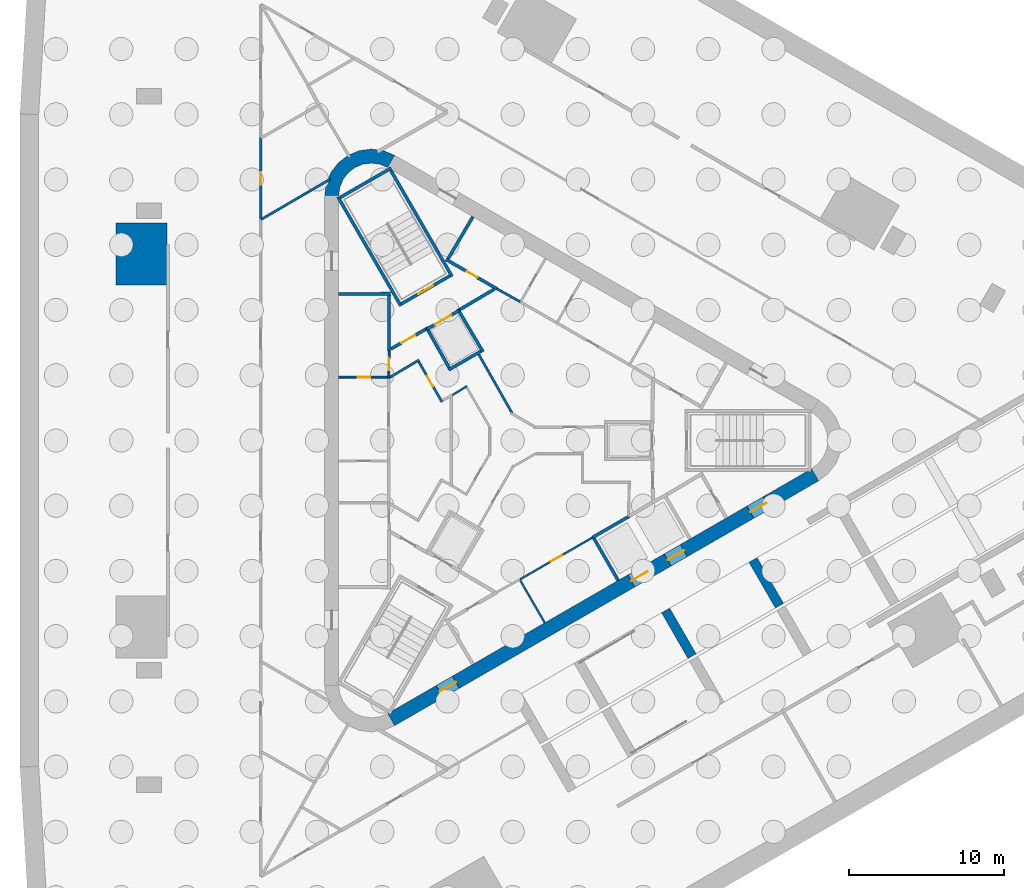
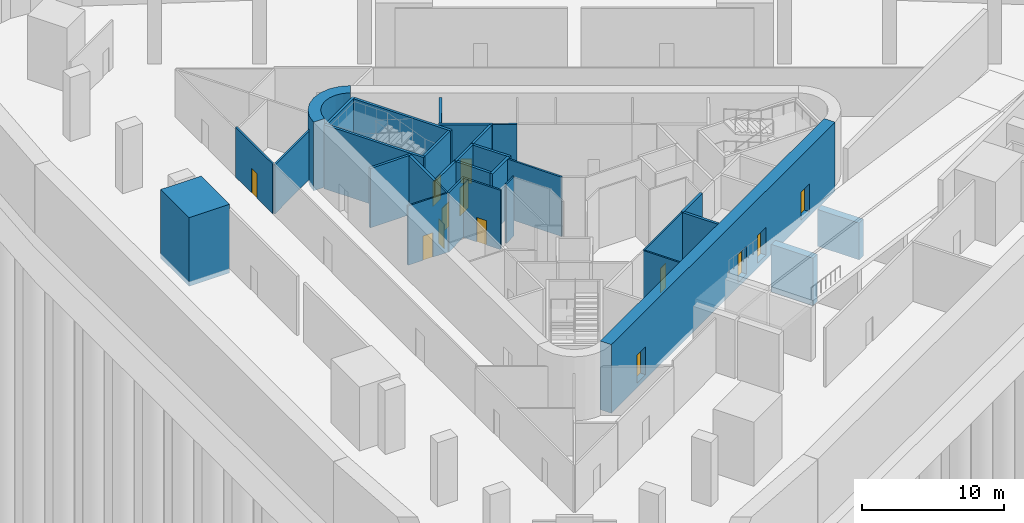
# One storey, part 6 of 13: 32 walls, 13 doors, 13 openings.
"""IFC4 building model written with IfcOpenShell, lengths in metres."""

import ifcopenshell
import ifcopenshell.guid

model = None  # the IFC model being written
_history = None  # IfcOwnerHistory: only IFC2X3 demands one
_inside = {}  # id of a spatial element -> (the spatial element, [elements in it])
_under = {}  # id of a project, library or spatial element -> (it, [spatial elements below it])
_declared = {}  # id of a project -> (the project, [libraries it declares])
_typed = {}  # id of a type object -> (the type object, [elements of that type])
_made_of = {}  # id of a material, layer set ... -> (it, [elements and type objects made of it])


def new_model(schema):
    """Start an empty IFC model of exactly this schema.

    Asked for "IFC4X3", IfcOpenShell would pick the latest addendum, in which some entities
    have other attributes; the version numbers below select the first issue.
    IFC2X3 requires an IfcOwnerHistory on every rooted entity: one is made here for all.
    """
    global model, _history
    if schema == "IFC4X3":
        model = ifcopenshell.file(schema_version=(4, 3, 0, 0))
    else:
        model = ifcopenshell.file(schema=schema)
    _inside.clear()
    _under.clear()
    _declared.clear()
    _typed.clear()
    _made_of.clear()
    _history = None
    if model.schema == "IFC2X3":
        org = make("IfcOrganization", Name="unknown")
        user = make(
            "IfcPersonAndOrganization",
            ThePerson=make("IfcPerson", FamilyName="unknown"),
            TheOrganization=org,
        )
        app = make(
            "IfcApplication",
            ApplicationDeveloper=org,
            Version="unknown",
            ApplicationFullName="unknown",
            ApplicationIdentifier="unknown",
        )
        _history = make(
            "IfcOwnerHistory",
            OwningUser=user,
            OwningApplication=app,
            ChangeAction="ADDED",
            CreationDate=0,
        )
    return model


def make(cls, **values):
    """One entity of the class cls with the attributes given. An attribute that is None is left unset."""
    return model.create_entity(
        cls, **{name: value for name, value in values.items() if value is not None}
    )


def rooted(cls, **values):
    """An entity with a GlobalId (a new one), such as an element, a storey or a relation."""
    return make(cls, GlobalId=ifcopenshell.guid.new(), OwnerHistory=_history, **values)


def si_unit(unit_type, name, prefix=None):
    """IfcSIUnit, for example si_unit("LENGTHUNIT", "METRE", prefix="MILLI")."""
    return make("IfcSIUnit", UnitType=unit_type, Prefix=prefix, Name=name)


def assignment(units):
    """IfcUnitAssignment: the units of a project."""
    return None if units is None else make("IfcUnitAssignment", Units=units)


def point(xyz):
    """IfcCartesianPoint."""
    return None if xyz is None else make("IfcCartesianPoint", Coordinates=xyz)


def direction(xyz):
    """IfcDirection."""
    return None if xyz is None else make("IfcDirection", DirectionRatios=xyz)


def frame(location, z_axis=None, x_axis=None):
    """IfcAxis2Placement3D, a coordinate frame: its origin and axes. An axis left out is left unset."""
    return make(
        "IfcAxis2Placement3D",
        Location=point(location),
        Axis=direction(z_axis),
        RefDirection=direction(x_axis),
    )


def frame_2d(location, x_axis=None):
    """IfcAxis2Placement2D, a coordinate frame in the plane: its origin and x axis."""
    return make(
        "IfcAxis2Placement2D", Location=point(location), RefDirection=direction(x_axis)
    )


def origin():
    """The frame at (0, 0, 0) with its axes left unset."""
    return frame((0.0, 0.0, 0.0))


def place(relative_to, where):
    """IfcLocalPlacement: puts the frame where relative to a parent placement (None: the world)."""
    return make(
        "IfcLocalPlacement", PlacementRelTo=relative_to, RelativePlacement=where
    )


def context(
    kind, dimensions, precision=None, world=None, true_north=None, identifier=None
):
    """IfcGeometricRepresentationContext, for example the 3D "Model" context."""
    return make(
        "IfcGeometricRepresentationContext",
        ContextIdentifier=identifier,
        ContextType=kind,
        CoordinateSpaceDimension=dimensions,
        Precision=precision,
        WorldCoordinateSystem=world,
        TrueNorth=true_north,
    )


def subcontext(parent, identifier, kind, view, scale=None):
    """IfcGeometricRepresentationSubContext, for example "Body" below "Model"."""
    return make(
        "IfcGeometricRepresentationSubContext",
        ContextIdentifier=identifier,
        ContextType=kind,
        ParentContext=parent,
        TargetScale=scale,
        TargetView=view,
    )


def project(units=None, contexts=None):
    """IfcProject with its units and contexts."""
    return rooted(
        "IfcProject",
        Name="project",
        RepresentationContexts=contexts,
        UnitsInContext=assignment(units),
    )


def spatial(cls, under=None, at=None, **own):
    """A site, building, storey or space (cls), placed at a placement, below another one or the project."""
    s = rooted(cls, ObjectPlacement=at, **own)
    if under is not None:
        _under.setdefault(under.id(), (under, []))[1].append(s)
    return s


def polyline(points):
    """IfcPolyline through the points."""
    return make("IfcPolyline", Points=[point(p) for p in points])


def profile(cls, at=None, kind="AREA", **sizes):
    """A parametric profile (cls). Its sizes go by their IFC names, for example OverallWidth=200.0."""
    return make(cls, ProfileType=kind, Position=at, **sizes)


def rectangle(**sizes):
    """IfcRectangleProfileDef."""
    return profile("IfcRectangleProfileDef", **sizes)


def outline(outer, holes=None, kind="AREA"):
    """IfcArbitraryClosedProfileDef: a profile drawn as a closed curve; with holes, ...WithVoids."""
    if holes is None:
        return make("IfcArbitraryClosedProfileDef", ProfileType=kind, OuterCurve=outer)
    return make(
        "IfcArbitraryProfileDefWithVoids",
        ProfileType=kind,
        OuterCurve=outer,
        InnerCurves=holes,
    )


def extrude(swept, where, along, depth):
    """IfcExtrudedAreaSolid: the profile swept, set in the frame where, extruded along a direction by depth."""
    return make(
        "IfcExtrudedAreaSolid",
        SweptArea=swept,
        Position=where,
        ExtrudedDirection=direction(along),
        Depth=depth,
    )


def shape(context_of_items, identifier, shape_type, items):
    """IfcShapeRepresentation: the items that make up one representation, for example the "Body"."""
    return make(
        "IfcShapeRepresentation",
        ContextOfItems=context_of_items,
        RepresentationIdentifier=identifier,
        RepresentationType=shape_type,
        Items=items,
    )


def material(Name=None, Category=None):
    """IfcMaterial."""
    return make("IfcMaterial", Name=Name, Category=Category)


def layer(
    of_material, thickness, ventilated=None, Name=None, Category=None, Priority=None
):
    """IfcMaterialLayer: one layer of a wall or slab, of a material (None: an air gap)."""
    return make(
        "IfcMaterialLayer",
        Material=of_material,
        LayerThickness=thickness,
        IsVentilated=ventilated,
        Name=Name,
        Category=Category,
        Priority=Priority,
    )


def layer_set(layers, Name=None):
    """IfcMaterialLayerSet."""
    return make("IfcMaterialLayerSet", MaterialLayers=layers, LayerSetName=Name)


def made_of(thing, what):
    """Note that an element or type object is made of a material, layer set ...; save() writes the relation."""
    if what is not None:
        _made_of.setdefault(what.id(), (what, []))[1].append(thing)
    return thing


def type_object(cls, material=None, **own):
    """A type object (cls), such as IfcWallType, which elements share."""
    return made_of(rooted(cls, **own), material)


def element(
    cls,
    number,
    at=None,
    inside=None,
    cuts=None,
    type_object=None,
    material=None,
    context=None,
    identifier="Body",
    shape_type=None,
    held_by="IfcProductDefinitionShape",
    body=None,
    shapes=None,
    **own,
):
    """One element of the class cls, such as IfcWall. Its Tag is "e" and its number.

    at: its placement. inside: the storey or other place that contains it. cuts: it is an
    opening in that element (IfcRelVoidsElement). A single representation is given by context,
    identifier, shape_type and body (its items); several are given by shapes. held_by: the class
    of the entity that holds the representations. save() writes the other relations.
    """
    e = rooted(cls, Tag="e%d" % number, ObjectPlacement=at, **own)
    if body is not None:
        shapes = [shape(context, identifier, shape_type, body)]
    if shapes is not None:
        e.Representation = make(held_by, Representations=shapes)
    if inside is not None:
        _inside.setdefault(inside.id(), (inside, []))[1].append(e)
    if cuts is not None:
        rooted(
            "IfcRelVoidsElement", RelatingBuildingElement=cuts, RelatedOpeningElement=e
        )
    if type_object is not None:
        _typed.setdefault(type_object.id(), (type_object, []))[1].append(e)
    return made_of(e, material)


def fill(opening, filler):
    """IfcRelFillsElement: the door or window that sits in an opening."""
    return rooted(
        "IfcRelFillsElement",
        RelatingOpeningElement=opening,
        RelatedBuildingElement=filler,
    )


def aggregate(whole, parts):
    """IfcRelAggregates: a whole, such as a stair, and the parts it consists of."""
    return rooted("IfcRelAggregates", RelatingObject=whole, RelatedObjects=parts)


def save(model, path):
    """Write the relations noted so far, then the file.

    IfcRelAggregates (storeys below a building ...), IfcRelContainedInSpatialStructure (elements
    in a storey), IfcRelDefinesByType, IfcRelAssociatesMaterial and IfcRelDeclares: one each for
    every whole, place, type object, material and project.
    """
    for whole, parts in _under.values():
        aggregate(whole, parts)
    for where, things in _inside.values():
        rooted(
            "IfcRelContainedInSpatialStructure",
            RelatedElements=things,
            RelatingStructure=where,
        )
    for kind, things in _typed.values():
        rooted("IfcRelDefinesByType", RelatedObjects=things, RelatingType=kind)
    for what, things in _made_of.values():
        rooted("IfcRelAssociatesMaterial", RelatedObjects=things, RelatingMaterial=what)
    for by, libraries in _declared.values():
        rooted("IfcRelDeclares", RelatingContext=by, RelatedDefinitions=libraries)
    model.write(path)


model = new_model("IFC4")

# Units and contexts
model_context = context("Model", 3, precision=1e-05, world=origin(), true_north=direction((0.0, 1.0)))
body_context = subcontext(model_context, "Body", "Model", "MODEL_VIEW")
ifc_project = project(units=[si_unit("LENGTHUNIT", "METRE"), si_unit("AREAUNIT", "SQUARE_METRE"), si_unit("VOLUMEUNIT", "CUBIC_METRE"), si_unit("PLANEANGLEUNIT", "RADIAN"), si_unit("MASSUNIT", "GRAM", prefix="KILO")], contexts=[model_context])

# Site, building, storey
site_placement = place(None, origin())
site = spatial("IfcSite", under=ifc_project, at=site_placement, CompositionType="ELEMENT")
building_placement = place(site_placement, origin())
building = spatial("IfcBuilding", under=site, at=building_placement, Name="Tanit Gate Tower", CompositionType="ELEMENT")
storey_placement = place(building_placement, frame((0.0, 0.0, -11.0)))
storey = spatial("IfcBuildingStorey", under=building, at=storey_placement, Name="B2", CompositionType="ELEMENT", Elevation=-11.0)

# Wall, openings, doors
ifc_material_1 = material(Name="Concrete C60/75", Category="concrete")
ifc_layer_1 = layer(ifc_material_1, 0.89990234375)
ifc_layer_set_1 = layer_set([ifc_layer_1], Name="CORE WALL 900 C60/75")
wall_type_1 = type_object("IfcWallType", Name="CORE WALL 900 C60/75", PredefinedType="SHEAR", material=ifc_layer_set_1)
wall_1_placement = place(storey_placement, frame((-7.824951171875, -17.969970703125, -0.39990234375), z_axis=(0.0, 0.0, 1.0), x_axis=(0.866028369851, 0.499994862586, 0.0)))
wall_1 = element("IfcWall", 1, at=wall_1_placement, inside=storey, type_object=wall_type_1, Name="CORE WALL", PredefinedType="SHEAR", context=body_context, shape_type="SweptSolid", body=[
    extrude(rectangle(XDim=31.523193359375, YDim=0.89990234375, at=frame_2d((15.76171875, 0.0))), origin(), (0.0, 0.0, 1.0), 5.89990234375),
])
opening_1_placement = place(wall_1_placement, frame((17.861572265625, 0.0, 0.39990234375)))
opening_1 = element("IfcOpeningElement", 2, at=opening_1_placement, cuts=wall_1, Name="Opening LDSV1-B2", PredefinedType="OPENING", context=body_context, shape_type="SweptSolid", body=[
    extrude(rectangle(XDim=1.199951171875, YDim=2.39990234375, at=frame_2d((0.60009765625, 1.199951171875))), frame((0.0, 0.4599609375, 0.0), z_axis=(0.0, -1.0, 0.0), x_axis=(1.0, 0.0, 0.0)), (0.0, 0.0, 1.0), 0.919921875),
])
opening_2_placement = place(wall_1_placement, frame((20.561767578125, 0.0, 0.39990234375)))
opening_2 = element("IfcOpeningElement", 3, at=opening_2_placement, cuts=wall_1, Name="Opening LDSV2-B2", PredefinedType="OPENING", context=body_context, shape_type="SweptSolid", body=[
    extrude(rectangle(XDim=1.199951171875, YDim=2.39990234375, at=frame_2d((0.60009765625, 1.199951171875))), frame((0.0, 0.4599609375, 0.0), z_axis=(0.0, -1.0, 0.0), x_axis=(1.0, 0.0, 0.0)), (0.0, 0.0, 1.0), 0.919921875),
])
opening_3_placement = place(wall_1_placement, frame((26.711669921875, 0.0, 0.39990234375)))
opening_3 = element("IfcOpeningElement", 4, at=opening_3_placement, cuts=wall_1, Name="Opening F12-B2-S1", PredefinedType="OPENING", context=body_context, shape_type="SweptSolid", body=[
    extrude(rectangle(XDim=1.199951171875, YDim=2.39990234375, at=frame_2d((0.60009765625, 1.199951171875))), frame((0.0, 0.4599609375, 0.0), z_axis=(0.0, -1.0, 0.0), x_axis=(1.0, 0.0, 0.0)), (0.0, 0.0, 1.0), 0.919921875),
])
opening_4_placement = place(wall_1_placement, frame((3.611572265625, 0.0, 0.39990234375)))
opening_4 = element("IfcOpeningElement", 5, at=opening_4_placement, cuts=wall_1, Name="Opening F12-B2-FL3", PredefinedType="OPENING", context=body_context, shape_type="SweptSolid", body=[
    extrude(rectangle(XDim=1.199951171875, YDim=2.39990234375, at=frame_2d((0.60009765625, 1.199951171875))), frame((0.0, 0.4599609375, 0.0), z_axis=(0.0, -1.0, 0.0), x_axis=(1.0, 0.0, 0.0)), (0.0, 0.0, 1.0), 0.919921875),
])
ifc_material_2 = material(Name="Fire-rated steel door leaf", Category="steel")
door_type_1 = type_object("IfcDoorType", Name="INT-DOOR-FIRE-LOBBY-1200", OperationType="NOTDEFINED", PredefinedType="USERDEFINED", material=ifc_material_2)
door_1_placement = place(opening_3_placement, origin())
door_1 = element("IfcDoor", 6, at=door_1_placement, inside=storey, type_object=door_type_1, Name="Door F12-B2-S1", ObjectType="FIRE DOOR", OperationType="SINGLE_SWING_RIGHT", OverallHeight=2.39990234375, OverallWidth=1.199951171875, PredefinedType="USERDEFINED", context=body_context, shape_type="SweptSolid", body=[
    extrude(rectangle(XDim=1.199951171875, YDim=2.39990234375, at=frame_2d((0.60009765625, 1.199951171875))), frame((0.0, 0.02490234375, 0.0), z_axis=(0.0, -1.0, 0.0), x_axis=(1.0, 0.0, 0.0)), (0.0, 0.0, 1.0), 0.050048828125),
])
fill(opening_3, door_1)
door_2_placement = place(opening_4_placement, origin())
door_2 = element("IfcDoor", 7, at=door_2_placement, inside=storey, type_object=door_type_1, Name="Door F12-B2-FL3", ObjectType="FIRE DOOR", OperationType="SINGLE_SWING_LEFT", OverallHeight=2.39990234375, OverallWidth=1.199951171875, PredefinedType="USERDEFINED", context=body_context, shape_type="SweptSolid", body=[
    extrude(rectangle(XDim=1.199951171875, YDim=2.39990234375, at=frame_2d((0.60009765625, 1.199951171875))), frame((0.0, 0.02490234375, 0.0), z_axis=(0.0, -1.0, 0.0), x_axis=(1.0, 0.0, 0.0)), (0.0, 0.0, 1.0), 0.050048828125),
])
fill(opening_4, door_2)
ifc_material_3 = material(Name="Stainless steel sliding door leaf", Category="steel")
door_type_2 = type_object("IfcDoorType", Name="INT-DOOR-LANDING-1200", OperationType="NOTDEFINED", PredefinedType="USERDEFINED", material=ifc_material_3)
door_3_placement = place(opening_1_placement, origin())
door_3 = element("IfcDoor", 8, at=door_3_placement, inside=storey, type_object=door_type_2, Name="Door LDSV1-B2", ObjectType="LANDING DOOR", OperationType="SLIDING_TO_LEFT", OverallHeight=2.39990234375, OverallWidth=1.199951171875, PredefinedType="USERDEFINED", context=body_context, shape_type="SweptSolid", body=[
    extrude(rectangle(XDim=1.199951171875, YDim=2.39990234375, at=frame_2d((0.60009765625, 1.199951171875))), frame((0.0, 0.02490234375, 0.0), z_axis=(0.0, -1.0, 0.0), x_axis=(1.0, 0.0, 0.0)), (0.0, 0.0, 1.0), 0.050048828125),
])
fill(opening_1, door_3)
door_4_placement = place(opening_2_placement, origin())
door_4 = element("IfcDoor", 9, at=door_4_placement, inside=storey, type_object=door_type_2, Name="Door LDSV2-B2", ObjectType="LANDING DOOR", OperationType="SLIDING_TO_LEFT", OverallHeight=2.39990234375, OverallWidth=1.199951171875, PredefinedType="USERDEFINED", context=body_context, shape_type="SweptSolid", body=[
    extrude(rectangle(XDim=1.199951171875, YDim=2.39990234375, at=frame_2d((0.60009765625, 1.199951171875))), frame((0.0, 0.02490234375, 0.0), z_axis=(0.0, -1.0, 0.0), x_axis=(1.0, 0.0, 0.0)), (0.0, 0.0, 1.0), 0.050048828125),
])
fill(opening_2, door_4)

# Walls
wall_2_placement = place(storey_placement, frame((0.0, 0.0, -0.39990234375)))
element("IfcWall", 10, at=wall_2_placement, inside=storey, type_object=wall_type_1, Name="CORE WALL CORNER", PredefinedType="SHEAR", context=body_context, shape_type="SweptSolid", body=[
    extrude(outline(polyline([(-7.60009765625, 18.359619140625), (-8.323486328125, 18.659423828125), (-9.10009765625, 18.76171875), (-9.87646484375, 18.659423828125), (-10.60009765625, 18.359619140625), (-11.22119140625, 17.883056640625), (-11.697998046875, 17.26171875), (-11.997802734375, 16.5380859375), (-12.10009765625, 15.76171875), (-11.199951171875, 15.76171875), (-11.12841796875, 16.30517578125), (-10.918701171875, 16.811767578125), (-10.5849609375, 17.24658203125), (-10.14990234375, 17.580322265625), (-9.6435546875, 17.7900390625), (-9.10009765625, 17.86181640625), (-8.556396484375, 17.7900390625), (-8.050048828125, 17.580322265625), (-7.60009765625, 18.359619140625)])), origin(), (0.0, 0.0, 1.0), 5.89990234375),
])
ifc_material_4 = material(Name="Fire-rated gypsum board partition")
ifc_layer_2 = layer(ifc_material_4, 0.199951171875)
ifc_layer_set_2 = layer_set([ifc_layer_2], Name="INT-WALL-COMPARTMENT")
wall_type_2 = type_object("IfcWallType", Name="INT-WALL-COMPARTMENT", PredefinedType="PARTITIONING", material=ifc_layer_set_2)
wall_3_placement = place(storey_placement, frame((-7.85009765625, 9.450927734375, 0.0), z_axis=(0.0, 0.0, 1.0), x_axis=(-0.999957167047, -0.009255488683, 0.0)))
element("IfcWall", 11, at=wall_3_placement, inside=storey, type_object=wall_type_2, Name="Wall Compartment W034", PredefinedType="PARTITIONING", context=body_context, shape_type="SweptSolid", body=[
    extrude(rectangle(XDim=3.35009765625, YDim=0.199951171875, at=frame_2d((1.675048828125, 0.0))), origin(), (0.0, 0.0, 1.0), 5.10009765625),
])
wall_4_placement = place(storey_placement, frame((-7.949951171875, 5.7724609375, 0.0), z_axis=(0.0, 0.0, 1.0), x_axis=(0.0, 1.0, 0.0)))
element("IfcWall", 12, at=wall_4_placement, inside=storey, type_object=wall_type_2, Name="Wall Compartment W035", PredefinedType="PARTITIONING", context=body_context, shape_type="SweptSolid", body=[
    extrude(rectangle(XDim=3.57763671875, YDim=0.199951171875, at=frame_2d((1.788818359375, 0.0))), origin(), (0.0, 0.0, 1.0), 5.10009765625),
])

# Wall, opening, door
wall_5_placement = place(storey_placement, frame((-4.295654296875, 11.659912109375, 0.0), z_axis=(0.0, 0.0, 1.0), x_axis=(0.866027389382, -0.499996560828, 0.0)))
wall_5 = element("IfcWall", 13, at=wall_5_placement, inside=storey, type_object=wall_type_2, Name="Wall Compartment W052", PredefinedType="PARTITIONING", context=body_context, shape_type="SweptSolid", body=[
    extrude(rectangle(XDim=3.77783203125, YDim=0.199951171875, at=frame_2d((1.888916015625, 0.0))), origin(), (0.0, 0.0, 1.0), 5.10009765625),
])
opening_5_placement = place(wall_5_placement, frame((1.538818359375, 0.0, 0.0)))
opening_5 = element("IfcOpeningElement", 14, at=opening_5_placement, cuts=wall_5, Name="Opening R08-B2-19", PredefinedType="OPENING", context=body_context, shape_type="SweptSolid", body=[
    extrude(rectangle(XDim=0.800048828125, YDim=2.10009765625, at=frame_2d((0.39990234375, 1.050048828125))), frame((0.0, 0.10986328125, 0.0), z_axis=(0.0, -1.0, 0.0), x_axis=(1.0, 0.0, 0.0)), (0.0, 0.0, 1.0), 0.219970703125),
])
ifc_material_5 = material(Name="Timber door leaf", Category="wood")
door_type_3 = type_object("IfcDoorType", Name="INT-DOOR-RISER-800", OperationType="NOTDEFINED", PredefinedType="USERDEFINED", material=ifc_material_5)
door_5_placement = place(opening_5_placement, origin())
door_5 = element("IfcDoor", 15, at=door_5_placement, inside=storey, type_object=door_type_3, Name="Door R08-B2-19", ObjectType="FIRE DOOR", OperationType="SINGLE_SWING_LEFT", OverallHeight=2.10009765625, OverallWidth=0.800048828125, PredefinedType="USERDEFINED", context=body_context, shape_type="SweptSolid", body=[
    extrude(rectangle(XDim=0.800048828125, YDim=2.10009765625, at=frame_2d((0.39990234375, 1.050048828125))), frame((0.0, 0.02490234375, 0.0), z_axis=(0.0, -1.0, 0.0), x_axis=(1.0, 0.0, 0.0)), (0.0, 0.0, 1.0), 0.050048828125),
])
fill(opening_5, door_5)

# Walls
wall_6_placement = place(storey_placement, frame((-2.557861328125, 14.409423828125, 0.0), z_axis=(0.0, 0.0, 1.0), x_axis=(-0.508018930956, -0.861345903683, 0.0)))
element("IfcWall", 16, at=wall_6_placement, inside=storey, type_object=wall_type_2, Name="Wall Compartment W053", PredefinedType="PARTITIONING", context=body_context, shape_type="SweptSolid", body=[
    extrude(rectangle(XDim=3.150146484375, YDim=0.199951171875, at=frame_2d((1.5751953125, 0.0))), origin(), (0.0, 0.0, 1.0), 5.10009765625),
])
wall_7_placement = place(storey_placement, frame((-1.1787109375, 9.744873046875, 0.0), z_axis=(0.0, 0.0, 1.0), x_axis=(-0.860630814782, -0.509229418482, 0.0)))
element("IfcWall", 17, at=wall_7_placement, inside=storey, type_object=wall_type_2, Name="Wall Compartment W064", PredefinedType="PARTITIONING", context=body_context, shape_type="SweptSolid", body=[
    extrude(rectangle(XDim=2.581787109375, YDim=0.199951171875, at=frame_2d((1.291015625, 0.0))), origin(), (0.0, 0.0, 1.0), 5.10009765625),
])

# Wall, opening, door
wall_8_placement = place(storey_placement, frame((-5.600341796875, 7.16015625, 0.0), z_axis=(0.0, 0.0, 1.0), x_axis=(-0.871350695252, -0.490660744185, 0.0)))
wall_8 = element("IfcWall", 18, at=wall_8_placement, inside=storey, type_object=wall_type_2, Name="Wall Compartment W065", PredefinedType="PARTITIONING", context=body_context, shape_type="SweptSolid", body=[
    extrude(rectangle(XDim=2.58203125, YDim=0.199951171875, at=frame_2d((1.291015625, 0.0))), origin(), (0.0, 0.0, 1.0), 5.10009765625),
])
opening_6_placement = place(wall_8_placement, frame((0.791015625, 0.0, 0.0)))
opening_6 = element("IfcOpeningElement", 19, at=opening_6_placement, cuts=wall_8, Name="Opening F10-B2-05", PredefinedType="OPENING", context=body_context, shape_type="SweptSolid", body=[
    extrude(rectangle(XDim=1.0, YDim=2.10009765625, at=frame_2d((0.5, 1.050048828125))), frame((0.0, 0.10986328125, 0.0), z_axis=(0.0, -1.0, 0.0), x_axis=(1.0, 0.0, 0.0)), (0.0, 0.0, 1.0), 0.219970703125),
])
ifc_material_6 = material(Name="Fire-rated steel door leaf", Category="steel")
door_type_4 = type_object("IfcDoorType", Name="INT-DOOR-FIRE-1000", OperationType="NOTDEFINED", PredefinedType="USERDEFINED", material=ifc_material_6)
door_6_placement = place(opening_6_placement, origin())
door_6 = element("IfcDoor", 20, at=door_6_placement, inside=storey, type_object=door_type_4, Name="Door F10-B2-05", ObjectType="FIRE DOOR", OperationType="SINGLE_SWING_LEFT", OverallHeight=2.10009765625, OverallWidth=1.0, PredefinedType="USERDEFINED", context=body_context, shape_type="SweptSolid", body=[
    extrude(rectangle(XDim=1.0, YDim=2.10009765625, at=frame_2d((0.5, 1.050048828125))), frame((0.0, 0.02490234375, 0.0), z_axis=(0.0, -1.0, 0.0), x_axis=(1.0, 0.0, 0.0)), (0.0, 0.0, 1.0), 0.050048828125),
])
fill(opening_6, door_6)

ifc_material_7 = material(Name="Gypsum board partition")
ifc_layer_3 = layer(ifc_material_7, 0.1201171875)
ifc_layer_set_3 = layer_set([ifc_layer_3], Name="INT-WALL-PARTITION")
wall_type_3 = type_object("IfcWallType", Name="INT-WALL-PARTITION", PredefinedType="PARTITIONING", material=ifc_layer_set_3)
wall_9_placement = place(storey_placement, frame((-11.199951171875, 4.080078125, 0.0), z_axis=(0.0, 0.0, 1.0), x_axis=(1.0, 0.0, 0.0)))
wall_9 = element("IfcWall", 21, at=wall_9_placement, inside=storey, type_object=wall_type_3, Name="Wall Partition W033", PredefinedType="PARTITIONING", context=body_context, shape_type="SweptSolid", body=[
    extrude(rectangle(XDim=3.25, YDim=0.1201171875, at=frame_2d((1.625, 0.0))), origin(), (0.0, 0.0, 1.0), 5.10009765625),
])
opening_7_placement = place(wall_9_placement, frame((1.22509765625, 0.0, 0.0)))
opening_7 = element("IfcOpeningElement", 22, at=opening_7_placement, cuts=wall_9, Name="Opening R08-B2-48", PredefinedType="OPENING", context=body_context, shape_type="SweptSolid", body=[
    extrude(rectangle(XDim=0.800048828125, YDim=2.10009765625, at=frame_2d((0.39990234375, 1.050048828125))), frame((0.0, 0.070068359375, 0.0), z_axis=(0.0, -1.0, 0.0), x_axis=(1.0, 0.0, 0.0)), (0.0, 0.0, 1.0), 0.14013671875),
])
door_7_placement = place(opening_7_placement, origin())
door_7 = element("IfcDoor", 23, at=door_7_placement, inside=storey, type_object=door_type_3, Name="Door R08-B2-48", ObjectType="FIRE DOOR", OperationType="SINGLE_SWING_LEFT", OverallHeight=2.10009765625, OverallWidth=0.800048828125, PredefinedType="USERDEFINED", context=body_context, shape_type="SweptSolid", body=[
    extrude(rectangle(XDim=0.800048828125, YDim=2.10009765625, at=frame_2d((0.39990234375, 1.050048828125))), frame((0.0, 0.02490234375, 0.0), z_axis=(0.0, -1.0, 0.0), x_axis=(1.0, 0.0, 0.0)), (0.0, 0.0, 1.0), 0.050048828125),
])
fill(opening_7, door_7)

wall_10_placement = place(storey_placement, frame((-7.971435546875, 4.050048828125, 0.0), z_axis=(0.0, 0.0, 1.0), x_axis=(0.012047318415, 0.999927428426, 0.0)))
wall_10 = element("IfcWall", 24, at=wall_10_placement, inside=storey, type_object=wall_type_3, Name="Wall Partition W036", PredefinedType="PARTITIONING", context=body_context, shape_type="SweptSolid", body=[
    extrude(rectangle(XDim=1.72265625, YDim=0.1201171875, at=frame_2d((0.861328125, 0.0))), origin(), (0.0, 0.0, 1.0), 5.10009765625),
])
opening_8_placement = place(wall_10_placement, frame((0.461181640625, 0.0, 0.0)))
opening_8 = element("IfcOpeningElement", 25, at=opening_8_placement, cuts=wall_10, Name="Opening R08-B2-14", PredefinedType="OPENING", context=body_context, shape_type="SweptSolid", body=[
    extrude(rectangle(XDim=0.800048828125, YDim=2.10009765625, at=frame_2d((0.39990234375, 1.050048828125))), frame((0.0, 0.070068359375, 0.0), z_axis=(0.0, -1.0, 0.0), x_axis=(1.0, 0.0, 0.0)), (0.0, 0.0, 1.0), 0.14013671875),
])
door_8_placement = place(opening_8_placement, origin())
door_8 = element("IfcDoor", 26, at=door_8_placement, inside=storey, type_object=door_type_3, Name="Door R08-B2-14", ObjectType="FIRE DOOR", OperationType="SINGLE_SWING_LEFT", OverallHeight=2.10009765625, OverallWidth=0.800048828125, PredefinedType="USERDEFINED", context=body_context, shape_type="SweptSolid", body=[
    extrude(rectangle(XDim=0.800048828125, YDim=2.10009765625, at=frame_2d((0.39990234375, 1.050048828125))), frame((0.0, 0.02490234375, 0.0), z_axis=(0.0, -1.0, 0.0), x_axis=(1.0, 0.0, 0.0)), (0.0, 0.0, 1.0), 0.050048828125),
])
fill(opening_8, door_8)

# Wall
wall_11_placement = place(storey_placement, frame((2.066650390625, -11.739501953125, 0.0), z_axis=(0.0, 0.0, 1.0), x_axis=(-0.499984717929, 0.866034226713, 0.0)))
element("IfcWall", 27, at=wall_11_placement, inside=storey, type_object=wall_type_3, Name="Wall Partition W055", PredefinedType="PARTITIONING", context=body_context, shape_type="SweptSolid", body=[
    extrude(rectangle(XDim=3.25, YDim=0.1201171875, at=frame_2d((1.625, 0.0))), origin(), (0.0, 0.0, 1.0), 5.10009765625),
])

# Wall, opening, door
wall_12_placement = place(storey_placement, frame((0.482666015625, -8.935791015625, 0.0), z_axis=(0.0, 0.0, 1.0), x_axis=(0.866028230842, 0.499995103361, 0.0)))
wall_12 = element("IfcWall", 28, at=wall_12_placement, inside=storey, type_object=wall_type_3, Name="Wall Partition W059", PredefinedType="PARTITIONING", context=body_context, shape_type="SweptSolid", body=[
    extrude(rectangle(XDim=5.39990234375, YDim=0.1201171875, at=frame_2d((2.699951171875, 0.0))), origin(), (0.0, 0.0, 1.0), 5.10009765625),
])
opening_9_placement = place(wall_12_placement, frame((2.300048828125, 0.0, 0.0)))
opening_9 = element("IfcOpeningElement", 29, at=opening_9_placement, cuts=wall_12, Name="Opening R08-B2-21", PredefinedType="OPENING", context=body_context, shape_type="SweptSolid", body=[
    extrude(rectangle(XDim=0.800048828125, YDim=2.10009765625, at=frame_2d((0.39990234375, 1.050048828125))), frame((0.0, 0.070068359375, 0.0), z_axis=(0.0, -1.0, 0.0), x_axis=(1.0, 0.0, 0.0)), (0.0, 0.0, 1.0), 0.14013671875),
])
door_9_placement = place(opening_9_placement, origin())
door_9 = element("IfcDoor", 30, at=door_9_placement, inside=storey, type_object=door_type_3, Name="Door R08-B2-21", ObjectType="FIRE DOOR", OperationType="SINGLE_SWING_LEFT", OverallHeight=2.10009765625, OverallWidth=0.800048828125, PredefinedType="USERDEFINED", context=body_context, shape_type="SweptSolid", body=[
    extrude(rectangle(XDim=0.800048828125, YDim=2.10009765625, at=frame_2d((0.39990234375, 1.050048828125))), frame((0.0, 0.02490234375, 0.0), z_axis=(0.0, -1.0, 0.0), x_axis=(1.0, 0.0, 0.0)), (0.0, 0.0, 1.0), 0.050048828125),
])
fill(opening_9, door_9)

# Walls
wall_13_placement = place(storey_placement, frame((-2.93505859375, 3.50341796875, 0.0), z_axis=(0.0, 0.0, 1.0), x_axis=(-0.852482838041, -0.522755211209, 0.0)))
element("IfcWall", 31, at=wall_13_placement, inside=storey, type_object=wall_type_3, Name="Wall Partition W084", PredefinedType="PARTITIONING", context=body_context, shape_type="SweptSolid", body=[
    extrude(rectangle(XDim=1.0966796875, YDim=0.1201171875, at=frame_2d((0.54833984375, 0.0))), origin(), (0.0, 0.0, 1.0), 5.10009765625),
])
ifc_material_8 = material(Name="Fire-rated gypsum board partition")
ifc_layer_4 = layer(ifc_material_8, 0.14990234375)
ifc_layer_set_4 = layer_set([ifc_layer_4], Name="INT-WALL-RISER")
wall_type_4 = type_object("IfcWallType", Name="INT-WALL-RISER", PredefinedType="PLUMBINGWALL", material=ifc_layer_set_4)
wall_14_placement = place(storey_placement, frame((0.482666015625, 8.935791015625, 0.0), z_axis=(0.0, 0.0, 1.0), x_axis=(-0.874290944206, 0.485402250592, 0.0)))
element("IfcWall", 32, at=wall_14_placement, inside=storey, type_object=wall_type_4, Name="Wall Riser W054", PredefinedType="PLUMBINGWALL", context=body_context, shape_type="SweptSolid", body=[
    extrude(rectangle(XDim=1.72265625, YDim=0.14990234375, at=frame_2d((0.861328125, 0.0))), origin(), (0.0, 0.0, 1.0), 5.10009765625),
])
wall_15_placement = place(storey_placement, frame((-2.18896484375, 5.549072265625, 0.0), z_axis=(0.0, 0.0, 1.0), x_axis=(0.494335077001, -0.869271437266, 0.0)))
element("IfcWall", 33, at=wall_15_placement, inside=storey, type_object=wall_type_4, Name="Wall Riser W070", PredefinedType="PLUMBINGWALL", context=body_context, shape_type="SweptSolid", body=[
    extrude(rectangle(XDim=4.404296875, YDim=0.14990234375, at=frame_2d((2.2021484375, 0.0))), origin(), (0.0, 0.0, 1.0), 5.10009765625),
])
wall_16_placement = place(storey_placement, frame((-6.023681640625, 5.183349609375, 0.0), z_axis=(0.0, 0.0, 1.0), x_axis=(-0.860126804455, -0.510080268447, 0.0)))
element("IfcWall", 34, at=wall_16_placement, inside=storey, type_object=wall_type_4, Name="Wall Riser W081", PredefinedType="PLUMBINGWALL", context=body_context, shape_type="SweptSolid", body=[
    extrude(rectangle(XDim=2.239501953125, YDim=0.14990234375, at=frame_2d((1.11962890625, 0.0))), origin(), (0.0, 0.0, 1.0), 5.10009765625),
])

# Wall, opening, door
wall_17_placement = place(storey_placement, frame((-4.55078125, 2.482177734375, 0.0), z_axis=(0.0, 0.0, 1.0), x_axis=(-0.499990139034, 0.866031096941, 0.0)))
wall_17 = element("IfcWall", 35, at=wall_17_placement, inside=storey, type_object=wall_type_4, Name="Wall Riser W082", PredefinedType="PLUMBINGWALL", context=body_context, shape_type="SweptSolid", body=[
    extrude(rectangle(XDim=3.0, YDim=0.14990234375, at=frame_2d((1.5, 0.0))), origin(), (0.0, 0.0, 1.0), 5.10009765625),
])
opening_10_placement = place(wall_17_placement, frame((1.137451171875, 0.0, 0.0)))
opening_10 = element("IfcOpeningElement", 36, at=opening_10_placement, cuts=wall_17, Name="Opening R08-B2-12", PredefinedType="OPENING", context=body_context, shape_type="SweptSolid", body=[
    extrude(rectangle(XDim=0.800048828125, YDim=2.10009765625, at=frame_2d((0.39990234375, 1.050048828125))), frame((0.0, 0.0849609375, 0.0), z_axis=(0.0, -1.0, 0.0), x_axis=(1.0, 0.0, 0.0)), (0.0, 0.0, 1.0), 0.169921875),
])
door_10_placement = place(opening_10_placement, origin())
door_10 = element("IfcDoor", 37, at=door_10_placement, inside=storey, type_object=door_type_3, Name="Door R08-B2-12", ObjectType="FIRE DOOR", OperationType="SINGLE_SWING_RIGHT", OverallHeight=2.10009765625, OverallWidth=0.800048828125, PredefinedType="USERDEFINED", context=body_context, shape_type="SweptSolid", body=[
    extrude(rectangle(XDim=0.800048828125, YDim=2.10009765625, at=frame_2d((0.39990234375, 1.050048828125))), frame((0.0, 0.02490234375, 0.0), z_axis=(0.0, -1.0, 0.0), x_axis=(1.0, 0.0, 0.0)), (0.0, 0.0, 1.0), 0.050048828125),
])
fill(opening_10, door_10)

wall_18_placement = place(storey_placement, frame((-16.219970703125, 14.256103515625, 0.0), z_axis=(0.0, 0.0, 1.0), x_axis=(0.0, 1.0, 0.0)))
wall_18 = element("IfcWall", 38, at=wall_18_placement, inside=storey, type_object=wall_type_4, Name="Wall Riser W094", PredefinedType="PLUMBINGWALL", context=body_context, shape_type="SweptSolid", body=[
    extrude(rectangle(XDim=5.245361328125, YDim=0.14990234375, at=frame_2d((2.62255859375, 0.0))), origin(), (0.0, 0.0, 1.0), 4.280029296875),
])
opening_11_placement = place(wall_18_placement, frame((2.205810546875, 0.0, 0.0)))
opening_11 = element("IfcOpeningElement", 39, at=opening_11_placement, cuts=wall_18, Name="Opening R08-B2-32", PredefinedType="OPENING", context=body_context, shape_type="SweptSolid", body=[
    extrude(rectangle(XDim=0.800048828125, YDim=2.10009765625, at=frame_2d((0.39990234375, 1.050048828125))), frame((0.0, 0.0849609375, 0.0), z_axis=(0.0, -1.0, 0.0), x_axis=(1.0, 0.0, 0.0)), (0.0, 0.0, 1.0), 0.169921875),
])
door_11_placement = place(opening_11_placement, origin())
door_11 = element("IfcDoor", 40, at=door_11_placement, inside=storey, type_object=door_type_3, Name="Door R08-B2-32", ObjectType="FIRE DOOR", OperationType="SINGLE_SWING_LEFT", OverallHeight=2.10009765625, OverallWidth=0.800048828125, PredefinedType="USERDEFINED", context=body_context, shape_type="SweptSolid", body=[
    extrude(rectangle(XDim=0.800048828125, YDim=2.10009765625, at=frame_2d((0.39990234375, 1.050048828125))), frame((0.0, 0.02490234375, 0.0), z_axis=(0.0, -1.0, 0.0), x_axis=(1.0, 0.0, 0.0)), (0.0, 0.0, 1.0), 0.050048828125),
])
fill(opening_11, door_11)

# Walls
wall_19_placement = place(storey_placement, frame((-11.739501953125, 16.83154296875, 0.0), z_axis=(0.0, 0.0, 1.0), x_axis=(-0.863501067027, -0.504347010741, 0.0)))
element("IfcWall", 41, at=wall_19_placement, inside=storey, type_object=wall_type_4, Name="Wall Riser W110", PredefinedType="PLUMBINGWALL", context=body_context, shape_type="SweptSolid", body=[
    extrude(rectangle(XDim=5.16552734375, YDim=0.14990234375, at=frame_2d((2.582763671875, 0.0))), origin(), (0.0, 0.0, 1.0), 4.179931640625),
])
ifc_material_9 = material(Name="Gypsum shaft wall system")
ifc_layer_5 = layer(ifc_material_9, 0.199951171875)
ifc_layer_set_5 = layer_set([ifc_layer_5], Name="INT-WALL-SHAFT")
wall_type_5 = type_object("IfcWallType", Name="INT-WALL-SHAFT", PredefinedType="PLUMBINGWALL", material=ifc_layer_set_5)
wall_20_placement = place(storey_placement, frame((6.795166015625, -9.009521484375, 0.0), z_axis=(0.0, 0.0, 1.0), x_axis=(-0.499984717929, 0.866034226713, 0.0)))
element("IfcWall", 42, at=wall_20_placement, inside=storey, type_object=wall_type_5, Name="Wall Shaft W001", PredefinedType="PLUMBINGWALL", context=body_context, shape_type="SweptSolid", body=[
    extrude(rectangle(XDim=3.25, YDim=0.199951171875, at=frame_2d((1.625, 0.0))), origin(), (0.0, 0.0, 1.0), 5.10009765625),
])
wall_21_placement = place(storey_placement, frame((5.1591796875, -6.23583984375, 0.0), z_axis=(0.0, 0.0, 1.0), x_axis=(0.866036505625, 0.499980770555, 0.0)))
element("IfcWall", 43, at=wall_21_placement, inside=storey, type_object=wall_type_5, Name="Wall Shaft W002", PredefinedType="PLUMBINGWALL", context=body_context, shape_type="SweptSolid", body=[
    extrude(rectangle(XDim=2.69970703125, YDim=0.199951171875, at=frame_2d((1.349853515625, 0.0))), origin(), (0.0, 0.0, 1.0), 5.10009765625),
])

# Wall, opening, door
wall_22_placement = place(storey_placement, frame((-5.524169921875, 7.168212890625, 0.0), z_axis=(0.0, 0.0, 1.0), x_axis=(0.866024647952, 0.500001309137, 0.0)))
wall_22 = element("IfcWall", 44, at=wall_22_placement, inside=storey, type_object=wall_type_5, Name="Wall Shaft W019", PredefinedType="PLUMBINGWALL", context=body_context, shape_type="SweptSolid", body=[
    extrude(rectangle(XDim=2.39990234375, YDim=0.199951171875, at=frame_2d((1.199951171875, 0.0))), origin(), (0.0, 0.0, 1.0), 5.10009765625),
])
opening_12_placement = place(wall_22_placement, frame((0.60009765625, 0.0, 0.0)))
opening_12 = element("IfcOpeningElement", 45, at=opening_12_placement, cuts=wall_22, Name="Opening LDFL2-B2", PredefinedType="OPENING", context=body_context, shape_type="SweptSolid", body=[
    extrude(rectangle(XDim=1.199951171875, YDim=2.39990234375, at=frame_2d((0.60009765625, 1.199951171875))), frame((0.0, 0.10986328125, 0.0), z_axis=(0.0, -1.0, 0.0), x_axis=(1.0, 0.0, 0.0)), (0.0, 0.0, 1.0), 0.219970703125),
])
door_12_placement = place(opening_12_placement, origin())
door_12 = element("IfcDoor", 46, at=door_12_placement, inside=storey, type_object=door_type_2, Name="Door LDFL2-B2", ObjectType="LANDING DOOR", OperationType="SLIDING_TO_LEFT", OverallHeight=2.39990234375, OverallWidth=1.199951171875, PredefinedType="USERDEFINED", context=body_context, shape_type="SweptSolid", body=[
    extrude(rectangle(XDim=1.199951171875, YDim=2.39990234375, at=frame_2d((0.60009765625, 1.199951171875))), frame((0.0, 0.02490234375, 0.0), z_axis=(0.0, -1.0, 0.0), x_axis=(1.0, 0.0, 0.0)), (0.0, 0.0, 1.0), 0.050048828125),
])
fill(opening_12, door_12)

# Walls
wall_23_placement = place(storey_placement, frame((-3.53759765625, 8.46533203125, 0.0), z_axis=(0.0, 0.0, 1.0), x_axis=(0.508616218331, -0.860993346345, 0.0)))
element("IfcWall", 47, at=wall_23_placement, inside=storey, type_object=wall_type_5, Name="Wall Shaft W020", PredefinedType="PLUMBINGWALL", context=body_context, shape_type="SweptSolid", body=[
    extrude(rectangle(XDim=3.2001953125, YDim=0.199951171875, at=frame_2d((1.60009765625, 0.0))), origin(), (0.0, 0.0, 1.0), 5.10009765625),
])
wall_24_placement = place(storey_placement, frame((-2.04736328125, 5.74609375, 0.0), z_axis=(0.0, 0.0, 1.0), x_axis=(-0.866024647952, -0.500001309137, 0.0)))
element("IfcWall", 48, at=wall_24_placement, inside=storey, type_object=wall_type_5, Name="Wall Shaft W021", PredefinedType="PLUMBINGWALL", context=body_context, shape_type="SweptSolid", body=[
    extrude(rectangle(XDim=2.39990234375, YDim=0.199951171875, at=frame_2d((1.199951171875, 0.0))), origin(), (0.0, 0.0, 1.0), 5.10009765625),
])
wall_25_placement = place(storey_placement, frame((-5.5625, 7.29638671875, 0.0), z_axis=(0.0, 0.0, 1.0), x_axis=(0.49134651263, -0.870964180966, 0.0)))
element("IfcWall", 49, at=wall_25_placement, inside=storey, type_object=wall_type_5, Name="Wall Shaft W023", PredefinedType="PLUMBINGWALL", context=body_context, shape_type="SweptSolid", body=[
    extrude(rectangle(XDim=3.000244140625, YDim=0.199951171875, at=frame_2d((1.5, 0.0))), origin(), (0.0, 0.0, 1.0), 5.10009765625),
])
ifc_material_10 = material(Name="Concrete C40/50", Category="concrete")
ifc_layer_6 = layer(ifc_material_10, 0.199951171875)
ifc_layer_set_6 = layer_set([ifc_layer_6], Name="INT-WALL-STAIR")
wall_type_6 = type_object("IfcWallType", Name="INT-WALL-STAIR", PredefinedType="SHEAR", material=ifc_layer_set_6)
wall_26_placement = place(storey_placement, frame((-11.245361328125, 15.677734375, -0.39990234375), z_axis=(0.0, 0.0, 1.0), x_axis=(0.499977274689, -0.866038523851, 0.0)))
element("IfcWall", 50, at=wall_26_placement, inside=storey, type_object=wall_type_6, Name="Wall Stair W015", PredefinedType="SHEAR", context=body_context, shape_type="SweptSolid", body=[
    extrude(rectangle(XDim=8.10009765625, YDim=0.199951171875, at=frame_2d((4.050048828125, 0.0))), origin(), (0.0, 0.0, 1.0), 5.5),
])
wall_27_placement = place(storey_placement, frame((-7.81787109375, 17.541015625, -0.39990234375), z_axis=(0.0, 0.0, 1.0), x_axis=(-0.866044365799, -0.499967155389, 0.0)))
element("IfcWall", 51, at=wall_27_placement, inside=storey, type_object=wall_type_6, Name="Wall Stair W016", PredefinedType="SHEAR", context=body_context, shape_type="SweptSolid", body=[
    extrude(rectangle(XDim=3.800048828125, YDim=0.199951171875, at=frame_2d((1.89990234375, 0.0))), origin(), (0.0, 0.0, 1.0), 5.5),
])
wall_28_placement = place(storey_placement, frame((-7.8544921875, 17.404541015625, -0.39990234375), z_axis=(0.0, 0.0, 1.0), x_axis=(0.499997992926, -0.866026562566, 0.0)))
element("IfcWall", 52, at=wall_28_placement, inside=storey, type_object=wall_type_6, Name="Wall Stair W017", PredefinedType="SHEAR", context=body_context, shape_type="SweptSolid", body=[
    extrude(rectangle(XDim=7.89990234375, YDim=0.199951171875, at=frame_2d((3.949951171875, 0.0))), origin(), (0.0, 0.0, 1.0), 5.5),
])

# Wall, opening, door
wall_29_placement = place(storey_placement, frame((-7.158935546875, 8.799560546875, -0.39990234375), z_axis=(0.0, 0.0, 1.0), x_axis=(0.866047807691, 0.499961193289, 0.0)))
wall_29 = element("IfcWall", 53, at=wall_29_placement, inside=storey, type_object=wall_type_6, Name="Wall Stair W018", PredefinedType="SHEAR", context=body_context, shape_type="SweptSolid", body=[
    extrude(rectangle(XDim=3.599853515625, YDim=0.199951171875, at=frame_2d((1.7998046875, 0.0))), origin(), (0.0, 0.0, 1.0), 5.5),
])
opening_13_placement = place(wall_29_placement, frame((1.25, 0.0, 0.39990234375)))
opening_13 = element("IfcOpeningElement", 54, at=opening_13_placement, cuts=wall_29, Name="Opening S11-B2-04", PredefinedType="OPENING", context=body_context, shape_type="SweptSolid", body=[
    extrude(rectangle(XDim=1.10009765625, YDim=2.10009765625, at=frame_2d((0.550048828125, 1.050048828125))), frame((0.0, 0.10986328125, 0.0), z_axis=(0.0, -1.0, 0.0), x_axis=(1.0, 0.0, 0.0)), (0.0, 0.0, 1.0), 0.219970703125),
])
ifc_material_11 = material(Name="Timber door leaf", Category="wood")
door_type_5 = type_object("IfcDoorType", Name="INT-DOOR-STAIR-1100", OperationType="NOTDEFINED", PredefinedType="USERDEFINED", material=ifc_material_11)
door_13_placement = place(opening_13_placement, origin())
door_13 = element("IfcDoor", 55, at=door_13_placement, inside=storey, type_object=door_type_5, Name="Door S11-B2-04", ObjectType="FIRE DOOR", OperationType="SINGLE_SWING_RIGHT", OverallHeight=2.10009765625, OverallWidth=1.10009765625, PredefinedType="USERDEFINED", context=body_context, shape_type="SweptSolid", body=[
    extrude(rectangle(XDim=1.10009765625, YDim=2.10009765625, at=frame_2d((0.550048828125, 1.050048828125))), frame((0.0, 0.02490234375, 0.0), z_axis=(0.0, -1.0, 0.0), x_axis=(1.0, 0.0, 0.0)), (0.0, 0.0, 1.0), 0.050048828125),
])
fill(opening_13, door_13)

# Walls
ifc_material_12 = material(Name="Concrete C60/75", Category="concrete")
ifc_layer_7 = layer(ifc_material_12, 4.0)
ifc_layer_set_7 = layer_set([ifc_layer_7], Name="PIER WALL 4000 C60/75")
wall_type_7 = type_object("IfcWallType", Name="PIER WALL 4000 C60/75", PredefinedType="SHEAR", material=ifc_layer_set_7)
wall_30_placement = place(storey_placement, frame((0.0, 0.0, -0.39990234375)))
element("IfcWall", 56, at=wall_30_placement, inside=storey, type_object=wall_type_7, Name="PIER WALL", PredefinedType="SHEAR", context=body_context, shape_type="SweptSolid", body=[
    extrude(outline(polyline([(-25.553466796875, 14.0), (-25.553466796875, 10.0), (-22.25341796875, 10.0), (-22.25341796875, 14.0), (-25.553466796875, 14.0)])), origin(), (0.0, 0.0, 1.0), 5.89990234375),
])
ifc_material_13 = material(Name="Concrete C40/50", Category="concrete")
ifc_layer_8 = layer(ifc_material_13, 0.60009765625)
ifc_layer_set_8 = layer_set([ifc_layer_8], Name="RAMP SUPPORT WALL 600 C40/50")
wall_type_8 = type_object("IfcWallType", Name="RAMP SUPPORT WALL 600 C40/50", PredefinedType="STANDARD", material=ifc_layer_set_8)
wall_31_placement = place(storey_placement, frame((15.4775390625, -7.691650390625, -0.39990234375), z_axis=(0.0, 0.0, 1.0), x_axis=(0.499977295307, -0.866038511948, 0.0)))
element("IfcWall", 57, at=wall_31_placement, inside=storey, type_object=wall_type_8, Name="RAMP SUPPORT WALL", PredefinedType="STANDARD", context=body_context, shape_type="SweptSolid", body=[
    extrude(rectangle(XDim=3.400146484375, YDim=0.60009765625, at=frame_2d((1.7001953125, 0.0))), origin(), (0.0, 0.0, 1.0), 3.1640625),
])
wall_32_placement = place(storey_placement, frame((9.848388671875, -10.941650390625, -0.39990234375), z_axis=(0.0, 0.0, 1.0), x_axis=(0.499977295307, -0.866038511948, 0.0)))
element("IfcWall", 58, at=wall_32_placement, inside=storey, type_object=wall_type_8, Name="RAMP SUPPORT WALL", PredefinedType="STANDARD", context=body_context, shape_type="SweptSolid", body=[
    extrude(rectangle(XDim=3.400146484375, YDim=0.60009765625, at=frame_2d((1.7001953125, 0.0))), origin(), (0.0, 0.0, 1.0), 4.0927734375),
])

save(model, "model.ifc")
